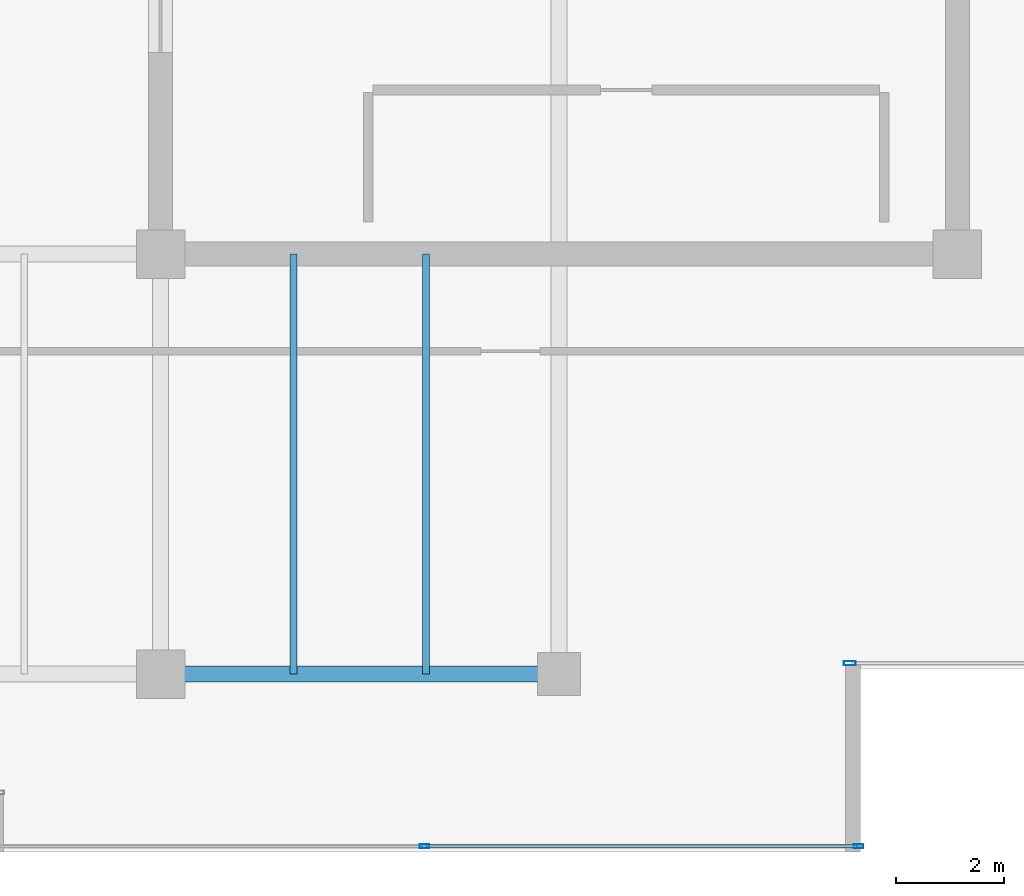
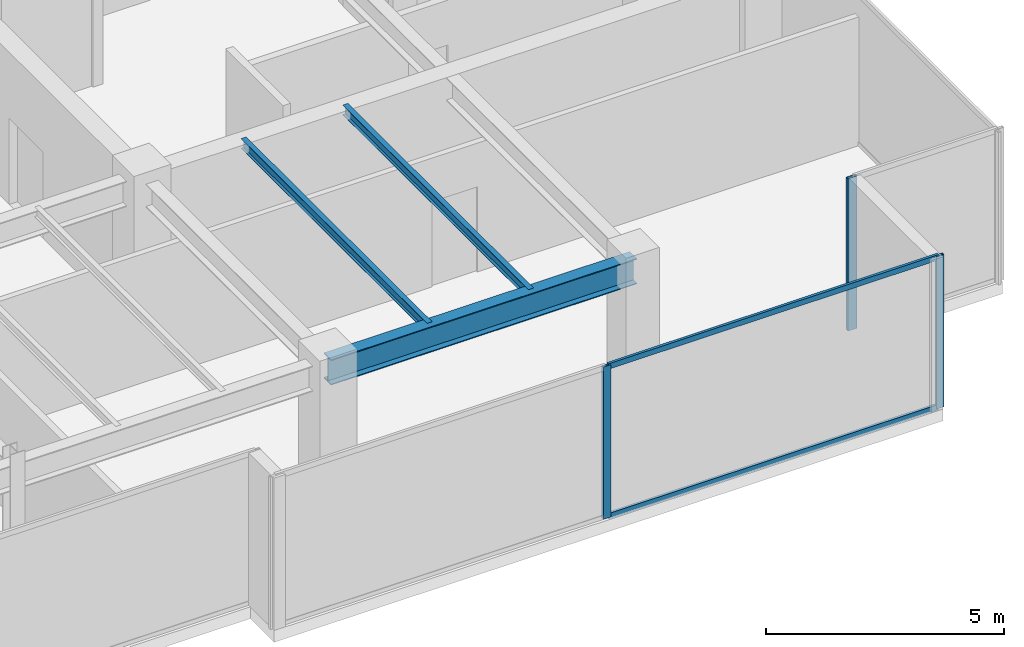
# One storey, part 14 of 31: 5 members, 3 beams, 2 elements without a shape of their own.
"""IFC4 building model written with IfcOpenShell, lengths in metres."""

import ifcopenshell
import ifcopenshell.guid

model = None  # the IFC model being written
_history = None  # IfcOwnerHistory: only IFC2X3 demands one
_inside = {}  # id of a spatial element -> (the spatial element, [elements in it])
_under = {}  # id of a project, library or spatial element -> (it, [spatial elements below it])
_declared = {}  # id of a project -> (the project, [libraries it declares])
_typed = {}  # id of a type object -> (the type object, [elements of that type])
_made_of = {}  # id of a material, layer set ... -> (it, [elements and type objects made of it])


def new_model(schema):
    """Start an empty IFC model of exactly this schema.

    Asked for "IFC4X3", IfcOpenShell would pick the latest addendum, in which some entities
    have other attributes; the version numbers below select the first issue.
    IFC2X3 requires an IfcOwnerHistory on every rooted entity: one is made here for all.
    """
    global model, _history
    if schema == "IFC4X3":
        model = ifcopenshell.file(schema_version=(4, 3, 0, 0))
    else:
        model = ifcopenshell.file(schema=schema)
    _inside.clear()
    _under.clear()
    _declared.clear()
    _typed.clear()
    _made_of.clear()
    _history = None
    if model.schema == "IFC2X3":
        org = make("IfcOrganization", Name="unknown")
        user = make(
            "IfcPersonAndOrganization",
            ThePerson=make("IfcPerson", FamilyName="unknown"),
            TheOrganization=org,
        )
        app = make(
            "IfcApplication",
            ApplicationDeveloper=org,
            Version="unknown",
            ApplicationFullName="unknown",
            ApplicationIdentifier="unknown",
        )
        _history = make(
            "IfcOwnerHistory",
            OwningUser=user,
            OwningApplication=app,
            ChangeAction="ADDED",
            CreationDate=0,
        )
    return model


def make(cls, **values):
    """One entity of the class cls with the attributes given. An attribute that is None is left unset."""
    return model.create_entity(
        cls, **{name: value for name, value in values.items() if value is not None}
    )


def rooted(cls, **values):
    """An entity with a GlobalId (a new one), such as an element, a storey or a relation."""
    return make(cls, GlobalId=ifcopenshell.guid.new(), OwnerHistory=_history, **values)


def si_unit(unit_type, name, prefix=None):
    """IfcSIUnit, for example si_unit("LENGTHUNIT", "METRE", prefix="MILLI")."""
    return make("IfcSIUnit", UnitType=unit_type, Prefix=prefix, Name=name)


def assignment(units):
    """IfcUnitAssignment: the units of a project."""
    return None if units is None else make("IfcUnitAssignment", Units=units)


def point(xyz):
    """IfcCartesianPoint."""
    return None if xyz is None else make("IfcCartesianPoint", Coordinates=xyz)


def direction(xyz):
    """IfcDirection."""
    return None if xyz is None else make("IfcDirection", DirectionRatios=xyz)


def frame(location, z_axis=None, x_axis=None):
    """IfcAxis2Placement3D, a coordinate frame: its origin and axes. An axis left out is left unset."""
    return make(
        "IfcAxis2Placement3D",
        Location=point(location),
        Axis=direction(z_axis),
        RefDirection=direction(x_axis),
    )


def frame_2d(location, x_axis=None):
    """IfcAxis2Placement2D, a coordinate frame in the plane: its origin and x axis."""
    return make(
        "IfcAxis2Placement2D", Location=point(location), RefDirection=direction(x_axis)
    )


def origin():
    """The frame at (0, 0, 0) with its axes left unset."""
    return frame((0.0, 0.0, 0.0))


def origin_2d():
    """The frame at (0, 0) in the plane with its x axis left unset."""
    return frame_2d((0.0, 0.0))


def place(relative_to, where):
    """IfcLocalPlacement: puts the frame where relative to a parent placement (None: the world)."""
    return make(
        "IfcLocalPlacement", PlacementRelTo=relative_to, RelativePlacement=where
    )


def context(
    kind, dimensions, precision=None, world=None, true_north=None, identifier=None
):
    """IfcGeometricRepresentationContext, for example the 3D "Model" context."""
    return make(
        "IfcGeometricRepresentationContext",
        ContextIdentifier=identifier,
        ContextType=kind,
        CoordinateSpaceDimension=dimensions,
        Precision=precision,
        WorldCoordinateSystem=world,
        TrueNorth=true_north,
    )


def subcontext(parent, identifier, kind, view, scale=None):
    """IfcGeometricRepresentationSubContext, for example "Body" below "Model"."""
    return make(
        "IfcGeometricRepresentationSubContext",
        ContextIdentifier=identifier,
        ContextType=kind,
        ParentContext=parent,
        TargetScale=scale,
        TargetView=view,
    )


def project(units=None, contexts=None):
    """IfcProject with its units and contexts."""
    return rooted(
        "IfcProject",
        Name="project",
        RepresentationContexts=contexts,
        UnitsInContext=assignment(units),
    )


def spatial(cls, under=None, at=None, **own):
    """A site, building, storey or space (cls), placed at a placement, below another one or the project."""
    s = rooted(cls, ObjectPlacement=at, **own)
    if under is not None:
        _under.setdefault(under.id(), (under, []))[1].append(s)
    return s


def profile(cls, at=None, kind="AREA", **sizes):
    """A parametric profile (cls). Its sizes go by their IFC names, for example OverallWidth=200.0."""
    return make(cls, ProfileType=kind, Position=at, **sizes)


def hollow_rectangle(**sizes):
    """IfcRectangleHollowProfileDef."""
    return profile("IfcRectangleHollowProfileDef", **sizes)


def i_section(**sizes):
    """IfcIShapeProfileDef."""
    return profile("IfcIShapeProfileDef", **sizes)


def extrude(swept, where, along, depth):
    """IfcExtrudedAreaSolid: the profile swept, set in the frame where, extruded along a direction by depth."""
    return make(
        "IfcExtrudedAreaSolid",
        SweptArea=swept,
        Position=where,
        ExtrudedDirection=direction(along),
        Depth=depth,
    )


def shape(context_of_items, identifier, shape_type, items):
    """IfcShapeRepresentation: the items that make up one representation, for example the "Body"."""
    return make(
        "IfcShapeRepresentation",
        ContextOfItems=context_of_items,
        RepresentationIdentifier=identifier,
        RepresentationType=shape_type,
        Items=items,
    )


def source(mapping_origin, context_of_items, identifier, shape_type, items):
    """IfcRepresentationMap: a shape defined once, which mapped items show again and again."""
    return make(
        "IfcRepresentationMap",
        MappingOrigin=mapping_origin,
        MappedRepresentation=shape(context_of_items, identifier, shape_type, items),
    )


def transform(
    local_origin,
    x_axis=None,
    y_axis=None,
    z_axis=None,
    scale=None,
    scale2=None,
    scale3=None,
    uniform=True,
):
    """IfcCartesianTransformationOperator3D, or its non-uniform kind. x_axis, y_axis, z_axis: its Axis1, 2, 3."""
    if uniform:
        return make(
            "IfcCartesianTransformationOperator3D",
            Axis1=direction(x_axis),
            Axis2=direction(y_axis),
            LocalOrigin=point(local_origin),
            Scale=scale,
            Axis3=direction(z_axis),
        )
    return make(
        "IfcCartesianTransformationOperator3DnonUniform",
        Axis1=direction(x_axis),
        Axis2=direction(y_axis),
        LocalOrigin=point(local_origin),
        Scale=scale,
        Axis3=direction(z_axis),
        Scale2=scale2,
        Scale3=scale3,
    )


def mapped(mapping_source, mapping_target):
    """IfcMappedItem: shows the shape of a source again, moved by a transform."""
    return make(
        "IfcMappedItem", MappingSource=mapping_source, MappingTarget=mapping_target
    )


def material(Name=None, Category=None):
    """IfcMaterial."""
    return make("IfcMaterial", Name=Name, Category=Category)


def layer(
    of_material, thickness, ventilated=None, Name=None, Category=None, Priority=None
):
    """IfcMaterialLayer: one layer of a wall or slab, of a material (None: an air gap)."""
    return make(
        "IfcMaterialLayer",
        Material=of_material,
        LayerThickness=thickness,
        IsVentilated=ventilated,
        Name=Name,
        Category=Category,
        Priority=Priority,
    )


def layer_set(layers, Name=None):
    """IfcMaterialLayerSet."""
    return make("IfcMaterialLayerSet", MaterialLayers=layers, LayerSetName=Name)


def material_profile(
    of_material, cross_section, Name=None, Category=None, Priority=None
):
    """IfcMaterialProfile: a cross section and its material."""
    return make(
        "IfcMaterialProfile",
        Name=Name,
        Material=of_material,
        Profile=cross_section,
        Priority=Priority,
        Category=Category,
    )


def profile_set(profiles, Name=None, composite=None):
    """IfcMaterialProfileSet."""
    return make(
        "IfcMaterialProfileSet",
        Name=Name,
        MaterialProfiles=profiles,
        CompositeProfile=composite,
    )


def made_of(thing, what):
    """Note that an element or type object is made of a material, layer set ...; save() writes the relation."""
    if what is not None:
        _made_of.setdefault(what.id(), (what, []))[1].append(thing)
    return thing


def type_object(cls, material=None, **own):
    """A type object (cls), such as IfcWallType, which elements share."""
    return made_of(rooted(cls, **own), material)


def type_shapes(of_type, sources):
    """Give a type object the sources (RepresentationMaps) that its elements show as mapped items."""
    of_type.RepresentationMaps = sources


def element(
    cls,
    number,
    at=None,
    inside=None,
    cuts=None,
    type_object=None,
    material=None,
    context=None,
    identifier="Body",
    shape_type=None,
    held_by="IfcProductDefinitionShape",
    body=None,
    shapes=None,
    **own,
):
    """One element of the class cls, such as IfcWall. Its Tag is "e" and its number.

    at: its placement. inside: the storey or other place that contains it. cuts: it is an
    opening in that element (IfcRelVoidsElement). A single representation is given by context,
    identifier, shape_type and body (its items); several are given by shapes. held_by: the class
    of the entity that holds the representations. save() writes the other relations.
    """
    e = rooted(cls, Tag="e%d" % number, ObjectPlacement=at, **own)
    if body is not None:
        shapes = [shape(context, identifier, shape_type, body)]
    if shapes is not None:
        e.Representation = make(held_by, Representations=shapes)
    if inside is not None:
        _inside.setdefault(inside.id(), (inside, []))[1].append(e)
    if cuts is not None:
        rooted(
            "IfcRelVoidsElement", RelatingBuildingElement=cuts, RelatedOpeningElement=e
        )
    if type_object is not None:
        _typed.setdefault(type_object.id(), (type_object, []))[1].append(e)
    return made_of(e, material)


def aggregate(whole, parts):
    """IfcRelAggregates: a whole, such as a stair, and the parts it consists of."""
    return rooted("IfcRelAggregates", RelatingObject=whole, RelatedObjects=parts)


def save(model, path):
    """Write the relations noted so far, then the file.

    IfcRelAggregates (storeys below a building ...), IfcRelContainedInSpatialStructure (elements
    in a storey), IfcRelDefinesByType, IfcRelAssociatesMaterial and IfcRelDeclares: one each for
    every whole, place, type object, material and project.
    """
    for whole, parts in _under.values():
        aggregate(whole, parts)
    for where, things in _inside.values():
        rooted(
            "IfcRelContainedInSpatialStructure",
            RelatedElements=things,
            RelatingStructure=where,
        )
    for kind, things in _typed.values():
        rooted("IfcRelDefinesByType", RelatedObjects=things, RelatingType=kind)
    for what, things in _made_of.values():
        rooted("IfcRelAssociatesMaterial", RelatedObjects=things, RelatingMaterial=what)
    for by, libraries in _declared.values():
        rooted("IfcRelDeclares", RelatingContext=by, RelatedDefinitions=libraries)
    model.write(path)


model = new_model("IFC4")

# Units and contexts
model_context = context("Model", 3, precision=1e-05, world=origin(), true_north=direction((0.0, 1.0)))
body_context = subcontext(model_context, "Body", "Model", "MODEL_VIEW")
ifc_project = project(units=[si_unit("LENGTHUNIT", "METRE"), si_unit("AREAUNIT", "SQUARE_METRE"), si_unit("VOLUMEUNIT", "CUBIC_METRE"), si_unit("PLANEANGLEUNIT", "RADIAN"), si_unit("MASSUNIT", "GRAM", prefix="KILO")], contexts=[model_context])

# Site, building, storey
site_placement = place(None, origin())
site = spatial("IfcSite", under=ifc_project, at=site_placement, CompositionType="ELEMENT")
building_placement = place(site_placement, origin())
building = spatial("IfcBuilding", under=site, at=building_placement, Name="Haelvirn Gate Laboratories", CompositionType="ELEMENT")
storey_placement = place(building_placement, frame((0.0, 0.0, 318.60009765625)))
storey = spatial("IfcBuildingStorey", under=building, at=storey_placement, Name="L76", CompositionType="ELEMENT", Elevation=318.60009765625)

# Beams
ifc_material_1 = material(Name="Steel SM355", Category="steel")
ifc_material_profile_1 = material_profile(ifc_material_1, i_section(OverallWidth=0.300048828125, OverallDepth=0.64990234375, WebThickness=0.012939453125, FlangeThickness=0.02197265625, at=origin_2d()), Name="H-650x300x13x22")
ifc_profile_set_1 = profile_set([ifc_material_profile_1], Name="Steel SM355")
beam_type_1 = type_object("IfcBeamType", Name="BM-G-650", PredefinedType="BEAM", material=ifc_profile_set_1)
shared_shape_1 = source(origin(), body_context, "Body", "SweptSolid", [
    extrude(i_section(OverallWidth=0.300048828125, OverallDepth=0.64990234375, WebThickness=0.012939453125, FlangeThickness=0.02197265625, at=origin_2d()), origin(), (0.0, 0.0, 1.0), 7.39990234375),
])
type_shapes(beam_type_1, [shared_shape_1])
beam_placement = place(storey_placement, frame((52.60009765625, 7.0, 3.574951171875), z_axis=(1.0, 0.0, 0.0), x_axis=(0.0, 1.0, 0.0)))
element("IfcBeam", 1, at=beam_placement, inside=storey, type_object=beam_type_1, Name="L76 Primary Girder Y7.0 (52.6-60.0)", PredefinedType="BEAM", context=body_context, shape_type="MappedRepresentation", body=[
    mapped(shared_shape_1, transform((0.0, 0.0, 0.0), scale=1.0)),
])
ifc_material_profile_2 = material_profile(ifc_material_1, i_section(OverallWidth=0.125, OverallDepth=0.25, WebThickness=0.006103515625, FlangeThickness=0.009033203125, at=origin_2d()), Name="H-250x125x6x9")
ifc_profile_set_2 = profile_set([ifc_material_profile_2], Name="Steel SM355")
beam_type_2 = type_object("IfcBeamType", Name="BM-J-250", PredefinedType="JOIST", material=ifc_profile_set_2)
shared_shape_2 = source(origin(), body_context, "Body", "SweptSolid", [
    extrude(i_section(OverallWidth=0.125, OverallDepth=0.25, WebThickness=0.006103515625, FlangeThickness=0.009033203125, at=origin_2d()), origin(), (0.0, 0.0, 1.0), 7.800048828125),
])
type_shapes(beam_type_2, [shared_shape_2])
for number, where, z_axis, x_axis, name in (
    (2, (55.070068359375, 7.0, 3.77490234375), (0.0, 1.0, 0.0), (-1.0, 0.0, 0.0), "L76 Composite Lab Joist South X55.07"),
    (3, (57.530029296875, 7.0, 3.77490234375), (0.0, 1.0, 0.0), (-1.0, 0.0, 0.0), "L76 Composite Lab Joist South X57.53"),
):
    element("IfcBeam", number, at=place(storey_placement, frame(where, z_axis=z_axis, x_axis=x_axis)), inside=storey, type_object=beam_type_2, Name=name, PredefinedType="JOIST", context=body_context, shape_type="MappedRepresentation", body=[
        mapped(shared_shape_2, transform((0.0, 0.0, 0.0), scale=1.0)),
    ])

# Curtain wall, members
ifc_material_2 = material(Name="Anodised bronze unitised aluminium & triple low-E glass", Category="aluminium")
ifc_layer_1 = layer(ifc_material_2, 0.176025390625, Name="CW-SYS-4")
ifc_layer_set_1 = layer_set([ifc_layer_1], Name="Anodised bronze unitised aluminium & triple low-E glass")
curtain_wall_type_1 = type_object("IfcCurtainWallType", Name="CW-SYS-4", PredefinedType="NOTDEFINED", material=ifc_layer_set_1)
curtain_wall_1_placement = place(storey_placement, origin())
curtain_wall_1 = element("IfcCurtainWall", 4, at=curtain_wall_1_placement, inside=storey, type_object=curtain_wall_type_1, Name="L76 Unitised Curtain Wall CW-L76-P0-E04-1", PredefinedType="NOTDEFINED")
ifc_material_3 = material(Name="Extruded aluminium 6063-T6 (anodised bronze)", Category="aluminium")
ifc_material_profile_3 = material_profile(ifc_material_3, hollow_rectangle(XDim=0.070068359375, YDim=0.179931640625, WallThickness=0.0048828125, at=origin_2d()), Name="CWM-180x70x5")
ifc_profile_set_3 = profile_set([ifc_material_profile_3], Name="Extruded aluminium 6063-T6 (anodised bronze)")
member_type_1 = type_object("IfcMemberType", Name="CWM-T180", PredefinedType="MULLION", material=ifc_profile_set_3)
shared_shape_3 = source(origin(), body_context, "Body", "SweptSolid", [
    extrude(hollow_rectangle(XDim=0.070068359375, YDim=0.179931640625, WallThickness=0.0048828125, at=origin_2d()), origin(), (0.0, 0.0, 1.0), 3.89990234375),
])
type_shapes(member_type_1, [shared_shape_3])
member_1_placement = place(storey_placement, frame((57.5, 3.800048828125, 0.0), z_axis=(0.0, 0.0, 1.0), x_axis=(0.0, 1.0, 0.0)))
member_1 = element("IfcMember", 5, at=member_1_placement, type_object=member_type_1, Name="CW4 mullion 2", PredefinedType="MULLION", context=body_context, shape_type="MappedRepresentation", body=[
    mapped(shared_shape_3, transform((0.0, 0.0, 0.0), scale=1.0)),
])
member_2_placement = place(storey_placement, frame((65.56494140625, 3.800048828125, 0.0), z_axis=(0.0, 0.0, 1.0), x_axis=(0.0, 1.0, 0.0)))
member_2 = element("IfcMember", 6, at=member_2_placement, type_object=member_type_1, Name="CW4 mullion 3", PredefinedType="MULLION", context=body_context, shape_type="MappedRepresentation", body=[
    mapped(shared_shape_3, transform((0.0, 0.0, 0.0), scale=1.0)),
])

# Curtain wall, member
ifc_layer_2 = layer(ifc_material_2, 0.181884765625, Name="CW-SYS-5")
ifc_layer_set_2 = layer_set([ifc_layer_2], Name="Anodised bronze unitised aluminium & triple low-E glass")
curtain_wall_type_2 = type_object("IfcCurtainWallType", Name="CW-SYS-5", PredefinedType="NOTDEFINED", material=ifc_layer_set_2)
curtain_wall_2_placement = place(storey_placement, origin())
curtain_wall_2 = element("IfcCurtainWall", 7, at=curtain_wall_2_placement, inside=storey, type_object=curtain_wall_type_2, Name="L76 Unitised Curtain Wall CW-L76-P0-E06-1", PredefinedType="NOTDEFINED")
ifc_material_profile_4 = material_profile(ifc_material_3, hollow_rectangle(XDim=0.080078125, YDim=0.219970703125, WallThickness=0.006103515625, at=origin_2d()), Name="CWM-220x80x6")
ifc_profile_set_4 = profile_set([ifc_material_profile_4], Name="Extruded aluminium 6063-T6 (anodised bronze)")
member_type_2 = type_object("IfcMemberType", Name="CWM-T220", PredefinedType="MULLION", material=ifc_profile_set_4)
shared_shape_4 = source(origin(), body_context, "Body", "SweptSolid", [
    extrude(hollow_rectangle(XDim=0.080078125, YDim=0.219970703125, WallThickness=0.006103515625, at=origin_2d()), origin(), (0.0, 0.0, 1.0), 3.89990234375),
])
type_shapes(member_type_2, [shared_shape_4])
member_3_placement = place(storey_placement, frame((65.39990234375, 7.199951171875, 0.0), z_axis=(0.0, 0.0, 1.0), x_axis=(0.0, 1.0, 0.0)))
member_3 = element("IfcMember", 8, at=member_3_placement, type_object=member_type_2, Name="CW5 mullion 1", PredefinedType="MULLION", context=body_context, shape_type="MappedRepresentation", body=[
    mapped(shared_shape_4, transform((0.0, 0.0, 0.0), scale=1.0)),
])
aggregate(curtain_wall_2, [member_3])

# Member
ifc_material_profile_5 = material_profile(ifc_material_3, hollow_rectangle(XDim=0.06494140625, YDim=0.139892578125, WallThickness=0.00390625, at=origin_2d()), Name="CWT-140x65x4")
ifc_profile_set_5 = profile_set([ifc_material_profile_5], Name="Extruded aluminium 6063-T6 (anodised bronze)")
member_type_3 = type_object("IfcMemberType", Name="CWT-T140", PredefinedType="USERDEFINED", material=ifc_profile_set_5)
shared_shape_5 = source(origin(), body_context, "Body", "SweptSolid", [
    extrude(hollow_rectangle(XDim=0.06494140625, YDim=0.139892578125, WallThickness=0.00390625, at=origin_2d()), origin(), (0.0, 0.0, 1.0), 7.9951171875),
])
type_shapes(member_type_3, [shared_shape_5])
member_4_placement = place(storey_placement, frame((57.534912109375, 3.800048828125, 0.032470703125), z_axis=(1.0, 0.0, 0.0), x_axis=(0.0, 1.0, 0.0)))
member_4 = element("IfcMember", 9, at=member_4_placement, type_object=member_type_3, Name="CW4 transom 2.1", ObjectType="TRANSOM", PredefinedType="USERDEFINED", context=body_context, shape_type="MappedRepresentation", body=[
    mapped(shared_shape_5, transform((0.0, 0.0, 0.0), scale=1.0)),
])

member_5_placement = place(storey_placement, frame((57.534912109375, 3.800048828125, 3.867431640625), z_axis=(1.0, 0.0, 0.0), x_axis=(0.0, 1.0, 0.0)))
member_5 = element("IfcMember", 10, at=member_5_placement, type_object=member_type_3, Name="CW4 transom 2.2", ObjectType="TRANSOM", PredefinedType="USERDEFINED", context=body_context, shape_type="MappedRepresentation", body=[
    mapped(shared_shape_5, transform((0.0, 0.0, 0.0), scale=1.0)),
])

aggregate(curtain_wall_1, [member_1, member_2, member_4, member_5])

save(model, "model.ifc")
